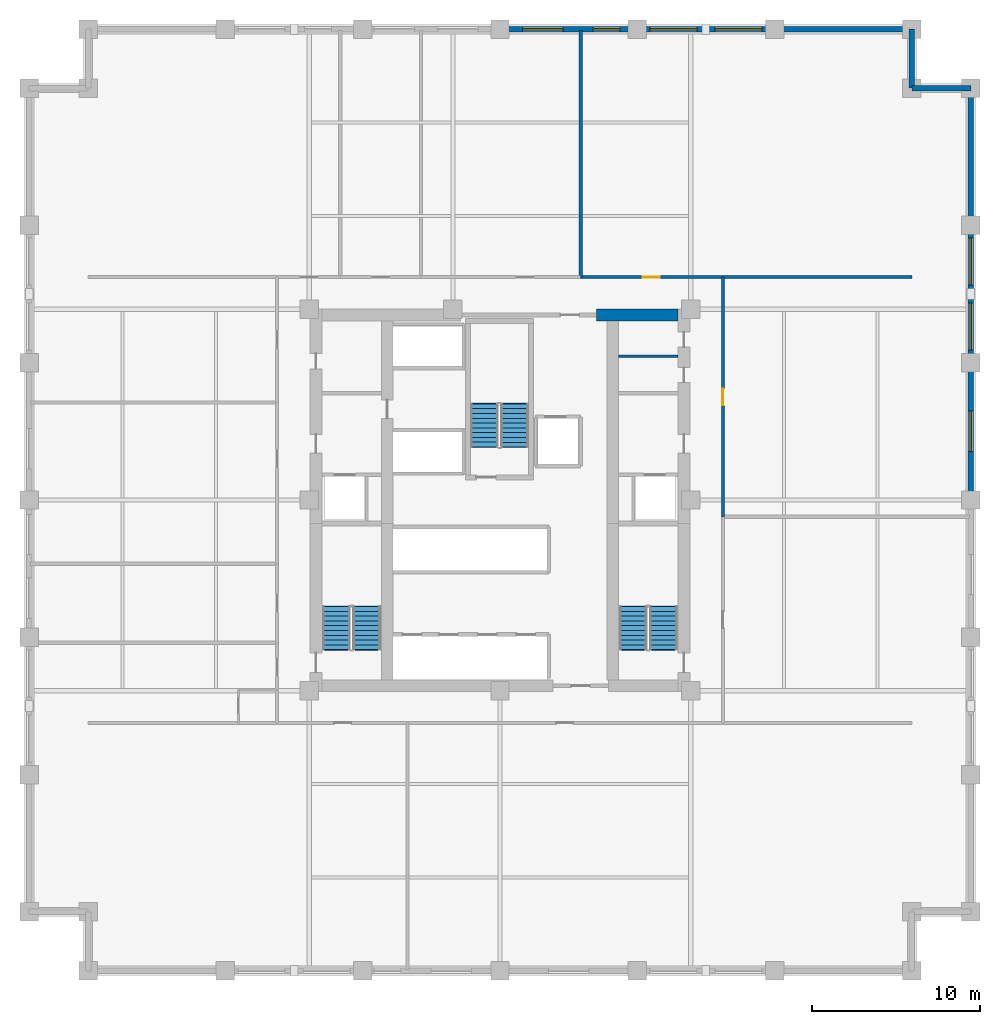
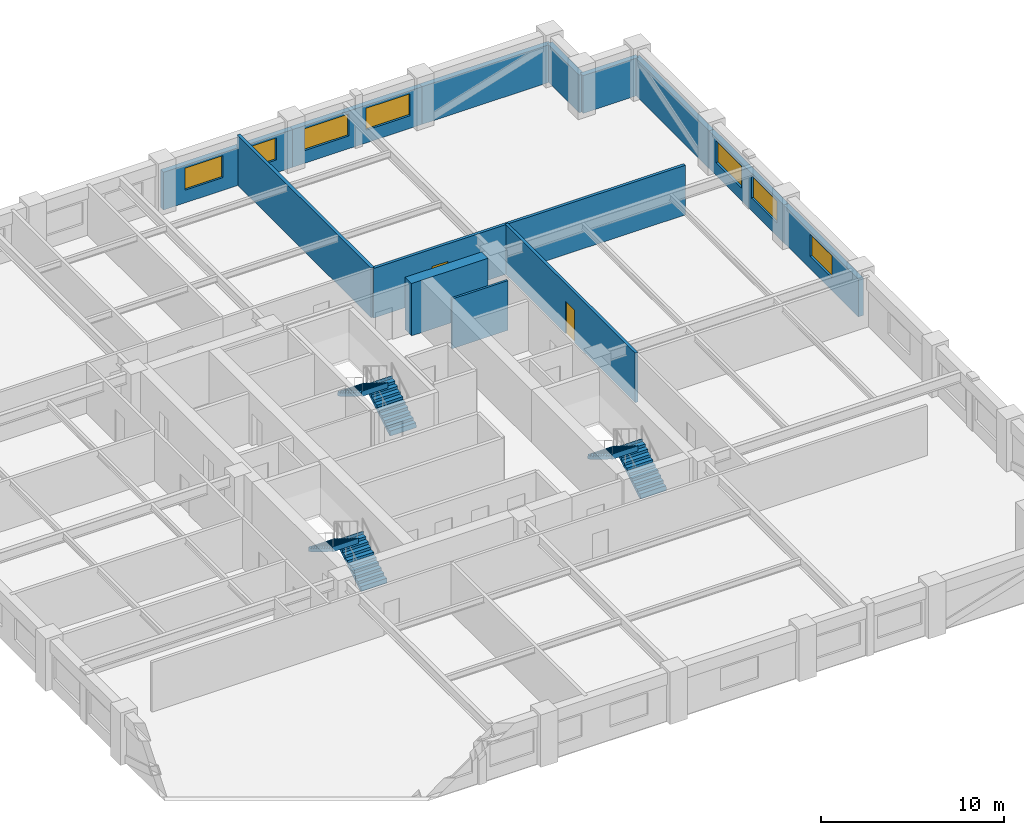
# One storey, part 5 of 6: 13 walls, 7 windows, 6 stair flights, 2 doors, 9 openings, 3 elements without a shape of their own.
"""IFC4 building model written with IfcOpenShell, lengths in metres."""

from ifc_helpers import new_model, si_unit, direction, frame, frame_2d, origin, place, context, subcontext, project, spatial, polyline, rectangle, outline, extrude, material, layer, layer_set, type_object, element, fill, aggregate, save


model = new_model("IFC4")

# Units and contexts
model_context = context("Model", 3, precision=1e-05, world=origin(), true_north=direction((0.0, 1.0)))
body_context = subcontext(model_context, "Body", "Model", "MODEL_VIEW")
ifc_project = project(units=[si_unit("LENGTHUNIT", "METRE"), si_unit("AREAUNIT", "SQUARE_METRE"), si_unit("VOLUMEUNIT", "CUBIC_METRE"), si_unit("PLANEANGLEUNIT", "RADIAN"), si_unit("MASSUNIT", "GRAM", prefix="KILO")], contexts=[model_context])

# Site, building, storey
site_placement = place(None, origin())
site = spatial("IfcSite", under=ifc_project, at=site_placement, CompositionType="ELEMENT")
building_placement = place(site_placement, origin())
building = spatial("IfcBuilding", under=site, at=building_placement, Name="Nhamokura Convention Tower", CompositionType="ELEMENT")
storey_placement = place(building_placement, frame((0.0, 0.0, 82.25)))
storey = spatial("IfcBuildingStorey", under=building, at=storey_placement, Name="L19", CompositionType="ELEMENT", Elevation=82.25)

# Wall
ifc_material_1 = material(Name="Moisture-resistant tile-backer partition", Category="masonry")
ifc_layer_1 = layer(ifc_material_1, 0.139892578125)
ifc_layer_set_1 = layer_set([ifc_layer_1], Name="BathroomWetWall_140")
wall_type_1 = type_object("IfcWallType", Name="BathroomWetWall_140", PredefinedType="STANDARD", material=ifc_layer_set_1)
wall_1_placement = place(storey_placement, frame((39.06005859375, 40.550048828125, 0.0), z_axis=(0.0, 0.0, 1.0), x_axis=(1.0, 0.0, 0.0)))
element("IfcWall", 1, at=wall_1_placement, inside=storey, type_object=wall_type_1, Name="L19 Wall INT-L19-CWNE", PredefinedType="STANDARD", context=body_context, shape_type="SweptSolid", body=[
    extrude(rectangle(XDim=3.530029296875, YDim=0.139892578125, at=frame_2d((1.76513671875, 0.0))), origin(), (0.0, 0.0, 1.0), 3.320068359375),
])

# Wall, openings, windows
ifc_material_2 = material(Name="Bronze-pigmented precast concrete C45/55", Category="concrete")
ifc_layer_2 = layer(ifc_material_2, 0.320068359375)
ifc_layer_set_2 = layer_set([ifc_layer_2], Name="BronzePrecastSpandrel_320")
wall_type_2 = type_object("IfcWallType", Name="BronzePrecastSpandrel_320", PredefinedType="USERDEFINED", material=ifc_layer_set_2)
wall_2_placement = place(storey_placement, frame((32.0, 60.0, 0.0), z_axis=(0.0, 0.0, 1.0), x_axis=(1.0, 0.0, 0.0)))
wall_2 = element("IfcWall", 2, at=wall_2_placement, inside=storey, type_object=wall_type_2, Name="L19 Masonry-Frame Wall NORTH 3", ObjectType="SPANDREL_WALL", PredefinedType="USERDEFINED", context=body_context, shape_type="SweptSolid", body=[
    extrude(rectangle(XDim=8.166748046875, YDim=0.320068359375, at=frame_2d((4.08349609375, 0.0))), origin(), (0.0, 0.0, 1.0), 2.52001953125),
])
opening_1_placement = place(wall_2_placement, frame((1.35009765625, 0.0, 0.85009765625)))
opening_1 = element("IfcOpeningElement", 3, at=opening_1_placement, cuts=wall_2, Name="Opening W-03", PredefinedType="OPENING", context=body_context, shape_type="SweptSolid", body=[
    extrude(rectangle(XDim=2.39990234375, YDim=1.469970703125, at=frame_2d((1.199951171875, 0.73486328125))), frame((0.0, 0.169921875, 0.0), z_axis=(0.0, -1.0, 0.0), x_axis=(1.0, 0.0, 0.0)), (0.0, 0.0, 1.0), 0.340087890625),
])
opening_2_placement = place(wall_2_placement, frame((5.533203125, 0.0, 0.85009765625)))
opening_2 = element("IfcOpeningElement", 4, at=opening_2_placement, cuts=wall_2, Name="Opening W-11", PredefinedType="OPENING", context=body_context, shape_type="SweptSolid", body=[
    extrude(rectangle(XDim=1.60009765625, YDim=1.469970703125, at=frame_2d((0.800048828125, 0.73486328125))), frame((0.0, 0.169921875, 0.0), z_axis=(0.0, -1.0, 0.0), x_axis=(1.0, 0.0, 0.0)), (0.0, 0.0, 1.0), 0.340087890625),
])
ifc_material_3 = material(Name="Solar-control bronze low-E double glass", Category="glass")
window_type_1 = type_object("IfcWindowType", Name="HotelBayWindow_2400", PartitioningType="DOUBLE_PANEL_VERTICAL", PredefinedType="WINDOW", material=ifc_material_3)
window_1_placement = place(opening_1_placement, origin())
window_1 = element("IfcWindow", 5, at=window_1_placement, inside=storey, type_object=window_type_1, Name="L19 Facade Window NORTH 3-1", OverallHeight=1.469970703125, OverallWidth=2.39990234375, PartitioningType="SINGLE_PANEL", PredefinedType="WINDOW", context=body_context, shape_type="SweptSolid", body=[
    extrude(rectangle(XDim=2.39990234375, YDim=1.469970703125, at=frame_2d((1.199951171875, 0.73486328125))), frame((0.0, 0.030029296875, 0.0), z_axis=(0.0, -1.0, 0.0), x_axis=(1.0, 0.0, 0.0)), (0.0, 0.0, 1.0), 0.06005859375),
])
fill(opening_1, window_1)
ifc_material_4 = material(Name="Solar-control bronze low-E double glass", Category="glass")
window_type_2 = type_object("IfcWindowType", Name="NotchCornerWindow_1600", PartitioningType="SINGLE_PANEL", PredefinedType="WINDOW", material=ifc_material_4)
window_2_placement = place(opening_2_placement, origin())
window_2 = element("IfcWindow", 6, at=window_2_placement, inside=storey, type_object=window_type_2, Name="L19 Facade Window NORTH 3-2", OverallHeight=1.469970703125, OverallWidth=1.60009765625, PartitioningType="SINGLE_PANEL", PredefinedType="WINDOW", context=body_context, shape_type="SweptSolid", body=[
    extrude(rectangle(XDim=1.60009765625, YDim=1.469970703125, at=frame_2d((0.800048828125, 0.73486328125))), frame((0.0, 0.030029296875, 0.0), z_axis=(0.0, -1.0, 0.0), x_axis=(1.0, 0.0, 0.0)), (0.0, 0.0, 1.0), 0.06005859375),
])
fill(opening_2, window_2)

wall_3_placement = place(storey_placement, frame((40.166748046875, 60.0, 0.0), z_axis=(0.0, 0.0, 1.0), x_axis=(1.0, 0.0, 0.0)))
wall_3 = element("IfcWall", 7, at=wall_3_placement, inside=storey, type_object=wall_type_2, Name="L19 Masonry-Frame Wall NORTH 4", ObjectType="SPANDREL_WALL", PredefinedType="USERDEFINED", context=body_context, shape_type="SweptSolid", body=[
    extrude(rectangle(XDim=8.16650390625, YDim=0.320068359375, at=frame_2d((4.083251953125, 0.0))), origin(), (0.0, 0.0, 1.0), 2.52001953125),
])
opening_3_placement = place(wall_3_placement, frame((0.74169921875, 0.0, 0.85009765625)))
opening_3 = element("IfcOpeningElement", 8, at=opening_3_placement, cuts=wall_3, Name="Opening W-04", PredefinedType="OPENING", context=body_context, shape_type="SweptSolid", body=[
    extrude(rectangle(XDim=2.800048828125, YDim=1.469970703125, at=frame_2d((1.39990234375, 0.73486328125))), frame((0.0, 0.169921875, 0.0), z_axis=(0.0, -1.0, 0.0), x_axis=(1.0, 0.0, 0.0)), (0.0, 0.0, 1.0), 0.340087890625),
])
opening_4_placement = place(wall_3_placement, frame((4.625, 0.0, 0.85009765625)))
opening_4 = element("IfcOpeningElement", 9, at=opening_4_placement, cuts=wall_3, Name="Opening W-04", PredefinedType="OPENING", context=body_context, shape_type="SweptSolid", body=[
    extrude(rectangle(XDim=2.800048828125, YDim=1.469970703125, at=frame_2d((1.39990234375, 0.73486328125))), frame((0.0, 0.169921875, 0.0), z_axis=(0.0, -1.0, 0.0), x_axis=(1.0, 0.0, 0.0)), (0.0, 0.0, 1.0), 0.340087890625),
])
ifc_material_5 = material(Name="Solar-control bronze low-E double glass", Category="glass")
window_type_3 = type_object("IfcWindowType", Name="HotelSuiteWindow_2800", PartitioningType="DOUBLE_PANEL_VERTICAL", PredefinedType="WINDOW", material=ifc_material_5)
window_3_placement = place(opening_3_placement, origin())
window_3 = element("IfcWindow", 10, at=window_3_placement, inside=storey, type_object=window_type_3, Name="L19 Facade Window NORTH 4-1", OverallHeight=1.469970703125, OverallWidth=2.800048828125, PartitioningType="SINGLE_PANEL", PredefinedType="WINDOW", context=body_context, shape_type="SweptSolid", body=[
    extrude(rectangle(XDim=2.800048828125, YDim=1.469970703125, at=frame_2d((1.39990234375, 0.73486328125))), frame((0.0, 0.030029296875, 0.0), z_axis=(0.0, -1.0, 0.0), x_axis=(1.0, 0.0, 0.0)), (0.0, 0.0, 1.0), 0.06005859375),
])
fill(opening_3, window_3)
window_4_placement = place(opening_4_placement, origin())
window_4 = element("IfcWindow", 11, at=window_4_placement, inside=storey, type_object=window_type_3, Name="L19 Facade Window NORTH 4-2", OverallHeight=1.469970703125, OverallWidth=2.800048828125, PartitioningType="SINGLE_PANEL", PredefinedType="WINDOW", context=body_context, shape_type="SweptSolid", body=[
    extrude(rectangle(XDim=2.800048828125, YDim=1.469970703125, at=frame_2d((1.39990234375, 0.73486328125))), frame((0.0, 0.030029296875, 0.0), z_axis=(0.0, -1.0, 0.0), x_axis=(1.0, 0.0, 0.0)), (0.0, 0.0, 1.0), 0.06005859375),
])
fill(opening_4, window_4)

# Wall
wall_4_placement = place(storey_placement, frame((48.333251953125, 60.0, 0.0), z_axis=(0.0, 0.0, 1.0), x_axis=(1.0, 0.0, 0.0)))
element("IfcWall", 12, at=wall_4_placement, inside=storey, type_object=wall_type_2, Name="L19 Braced-Bay Precast Wall NORTH 5", ObjectType="SPANDREL_WALL", PredefinedType="USERDEFINED", context=body_context, shape_type="SweptSolid", body=[
    extrude(rectangle(XDim=8.166748046875, YDim=0.320068359375, at=frame_2d((4.08349609375, 0.0))), origin(), (0.0, 0.0, 1.0), 2.52001953125),
])

# Wall, opening, window
wall_5_placement = place(storey_placement, frame((60.0, 40.166748046875, 0.0), z_axis=(0.0, 0.0, 1.0), x_axis=(0.0, -1.0, 0.0)))
wall_5 = element("IfcWall", 13, at=wall_5_placement, inside=storey, type_object=wall_type_2, Name="L19 Masonry-Frame Wall EAST 3", ObjectType="SPANDREL_WALL", PredefinedType="USERDEFINED", context=body_context, shape_type="SweptSolid", body=[
    extrude(rectangle(XDim=8.166748046875, YDim=0.320068359375, at=frame_2d((4.08349609375, 0.0))), origin(), (0.0, 0.0, 1.0), 2.52001953125),
])
opening_5_placement = place(wall_5_placement, frame((2.88330078125, 0.0, 0.85009765625)))
opening_5 = element("IfcOpeningElement", 14, at=opening_5_placement, cuts=wall_5, Name="Opening W-03", PredefinedType="OPENING", context=body_context, shape_type="SweptSolid", body=[
    extrude(rectangle(XDim=2.39990234375, YDim=1.469970703125, at=frame_2d((1.199951171875, 0.73486328125))), frame((0.0, 0.169921875, 0.0), z_axis=(0.0, -1.0, 0.0), x_axis=(1.0, 0.0, 0.0)), (0.0, 0.0, 1.0), 0.340087890625),
])
window_5_placement = place(opening_5_placement, origin())
window_5 = element("IfcWindow", 15, at=window_5_placement, inside=storey, type_object=window_type_1, Name="L19 Facade Window EAST 3", OverallHeight=1.469970703125, OverallWidth=2.39990234375, PartitioningType="SINGLE_PANEL", PredefinedType="WINDOW", context=body_context, shape_type="SweptSolid", body=[
    extrude(rectangle(XDim=2.39990234375, YDim=1.469970703125, at=frame_2d((1.199951171875, 0.73486328125))), frame((0.0, 0.030029296875, 0.0), z_axis=(0.0, -1.0, 0.0), x_axis=(1.0, 0.0, 0.0)), (0.0, 0.0, 1.0), 0.06005859375),
])
fill(opening_5, window_5)

# Wall, openings, windows
wall_6_placement = place(storey_placement, frame((60.0, 48.333251953125, 0.0), z_axis=(0.0, 0.0, 1.0), x_axis=(0.0, -1.0, 0.0)))
wall_6 = element("IfcWall", 16, at=wall_6_placement, inside=storey, type_object=wall_type_2, Name="L19 Masonry-Frame Wall EAST 4", ObjectType="SPANDREL_WALL", PredefinedType="USERDEFINED", context=body_context, shape_type="SweptSolid", body=[
    extrude(rectangle(XDim=8.16650390625, YDim=0.320068359375, at=frame_2d((4.083251953125, 0.0))), origin(), (0.0, 0.0, 1.0), 2.52001953125),
])
opening_6_placement = place(wall_6_placement, frame((0.74169921875, 0.0, 0.85009765625)))
opening_6 = element("IfcOpeningElement", 17, at=opening_6_placement, cuts=wall_6, Name="Opening W-04", PredefinedType="OPENING", context=body_context, shape_type="SweptSolid", body=[
    extrude(rectangle(XDim=2.800048828125, YDim=1.469970703125, at=frame_2d((1.39990234375, 0.73486328125))), frame((0.0, 0.169921875, 0.0), z_axis=(0.0, -1.0, 0.0), x_axis=(1.0, 0.0, 0.0)), (0.0, 0.0, 1.0), 0.340087890625),
])
opening_7_placement = place(wall_6_placement, frame((4.625, 0.0, 0.85009765625)))
opening_7 = element("IfcOpeningElement", 18, at=opening_7_placement, cuts=wall_6, Name="Opening W-04", PredefinedType="OPENING", context=body_context, shape_type="SweptSolid", body=[
    extrude(rectangle(XDim=2.800048828125, YDim=1.469970703125, at=frame_2d((1.39990234375, 0.73486328125))), frame((0.0, 0.169921875, 0.0), z_axis=(0.0, -1.0, 0.0), x_axis=(1.0, 0.0, 0.0)), (0.0, 0.0, 1.0), 0.340087890625),
])
window_6_placement = place(opening_6_placement, origin())
window_6 = element("IfcWindow", 19, at=window_6_placement, inside=storey, type_object=window_type_3, Name="L19 Facade Window EAST 4-1", OverallHeight=1.469970703125, OverallWidth=2.800048828125, PartitioningType="SINGLE_PANEL", PredefinedType="WINDOW", context=body_context, shape_type="SweptSolid", body=[
    extrude(rectangle(XDim=2.800048828125, YDim=1.469970703125, at=frame_2d((1.39990234375, 0.73486328125))), frame((0.0, 0.030029296875, 0.0), z_axis=(0.0, -1.0, 0.0), x_axis=(1.0, 0.0, 0.0)), (0.0, 0.0, 1.0), 0.06005859375),
])
fill(opening_6, window_6)
window_7_placement = place(opening_7_placement, origin())
window_7 = element("IfcWindow", 20, at=window_7_placement, inside=storey, type_object=window_type_3, Name="L19 Facade Window EAST 4-2", OverallHeight=1.469970703125, OverallWidth=2.800048828125, PartitioningType="SINGLE_PANEL", PredefinedType="WINDOW", context=body_context, shape_type="SweptSolid", body=[
    extrude(rectangle(XDim=2.800048828125, YDim=1.469970703125, at=frame_2d((1.39990234375, 0.73486328125))), frame((0.0, 0.030029296875, 0.0), z_axis=(0.0, -1.0, 0.0), x_axis=(1.0, 0.0, 0.0)), (0.0, 0.0, 1.0), 0.06005859375),
])
fill(opening_7, window_7)

# Walls
wall_7_placement = place(storey_placement, frame((60.0, 56.5, 0.0), z_axis=(0.0, 0.0, 1.0), x_axis=(0.0, -1.0, 0.0)))
element("IfcWall", 21, at=wall_7_placement, inside=storey, type_object=wall_type_2, Name="L19 Braced-Bay Precast Wall EAST 5", ObjectType="SPANDREL_WALL", PredefinedType="USERDEFINED", context=body_context, shape_type="SweptSolid", body=[
    extrude(rectangle(XDim=8.166748046875, YDim=0.320068359375, at=frame_2d((4.08349609375, 0.0))), origin(), (0.0, 0.0, 1.0), 2.52001953125),
])
for number, where, z_axis, x_axis, name in (
    (22, (56.5, 56.5, 0.0), (0.0, 0.0, 1.0), (1.0, 0.0, 0.0), "L19 Notched Corner Wall NE1"),
    (23, (56.5, 60.0, 0.0), (0.0, 0.0, 1.0), (0.0, -1.0, 0.0), "L19 Notched Corner Wall NE2"),
):
    element("IfcWall", number, at=place(storey_placement, frame(where, z_axis=z_axis, x_axis=x_axis)), inside=storey, type_object=wall_type_2, Name=name, ObjectType="SPANDREL_WALL", PredefinedType="USERDEFINED", context=body_context, shape_type="SweptSolid", body=[
        extrude(rectangle(XDim=3.5, YDim=0.320068359375, at=frame_2d((1.75, 0.0))), origin(), (0.0, 0.0, 1.0), 2.52001953125),
    ])
ifc_material_6 = material(Name="Concrete C70/85", Category="concrete")
ifc_layer_3 = layer(ifc_material_6, 0.699951171875)
ifc_layer_set_3 = layer_set([ifc_layer_3], Name="CoreShearWall_700")
wall_type_3 = type_object("IfcWallType", Name="CoreShearWall_700", PredefinedType="SHEAR", material=ifc_layer_set_3)
wall_8_placement = place(storey_placement, frame((37.75, 43.0, 0.0), z_axis=(0.0, 0.0, 1.0), x_axis=(1.0, 0.0, 0.0)))
element("IfcWall", 24, at=wall_8_placement, inside=storey, type_object=wall_type_3, Name="L19 Core Shear Wall CW-N2", PredefinedType="SHEAR", context=body_context, shape_type="SweptSolid", body=[
    extrude(rectangle(XDim=4.840087890625, YDim=0.699951171875, at=frame_2d((2.419921875, 0.0))), origin(), (0.0, 0.0, 1.0), 3.5),
])

# Wall, opening, door
ifc_material_7 = material(Name="Fire-rated gypsum and masonry partition", Category="masonry")
ifc_layer_4 = layer(ifc_material_7, 0.179931640625)
ifc_layer_set_4 = layer_set([ifc_layer_4], Name="CorridorRatedWall_180")
wall_type_4 = type_object("IfcWallType", Name="CorridorRatedWall_180", PredefinedType="STANDARD", material=ifc_layer_set_4)
wall_9_placement = place(storey_placement, frame((36.800048828125, 45.25, 0.0), z_axis=(0.0, 0.0, 1.0), x_axis=(1.0, 0.0, 0.0)))
wall_9 = element("IfcWall", 25, at=wall_9_placement, inside=storey, type_object=wall_type_4, Name="L19 Wall INT-L19-CW-N03", PredefinedType="STANDARD", context=body_context, shape_type="SweptSolid", body=[
    extrude(rectangle(XDim=19.699951171875, YDim=0.179931640625, at=frame_2d((9.85009765625, 0.0))), origin(), (0.0, 0.0, 1.0), 3.320068359375),
])
opening_8_placement = place(wall_9_placement, frame((3.699951171875, 0.0, 0.0)))
opening_8 = element("IfcOpeningElement", 26, at=opening_8_placement, cuts=wall_9, Name="Opening D-07", PredefinedType="OPENING", context=body_context, shape_type="SweptSolid", body=[
    extrude(rectangle(XDim=1.0, YDim=2.14990234375, at=frame_2d((0.5, 1.074951171875))), frame((0.0, 0.099853515625, 0.0), z_axis=(0.0, -1.0, 0.0), x_axis=(1.0, 0.0, 0.0)), (0.0, 0.0, 1.0), 0.199951171875),
])
ifc_material_8 = material(Name="Solid oak hardwood", Category="wood")
door_type = type_object("IfcDoorType", Name="HotelSuiteEntryDoor_1000", OperationType="NOTDEFINED", PredefinedType="DOOR", material=ifc_material_8)
door_1_placement = place(opening_8_placement, origin())
door_1 = element("IfcDoor", 27, at=door_1_placement, inside=storey, type_object=door_type, Name="L19 Conference Salon N04 Door", OperationType="SINGLE_SWING_RIGHT", OverallHeight=2.14990234375, OverallWidth=1.0, PredefinedType="DOOR", context=body_context, shape_type="SweptSolid", body=[
    extrude(rectangle(XDim=1.0, YDim=2.14990234375, at=frame_2d((0.5, 1.074951171875))), frame((0.0, 0.02490234375, 0.0), z_axis=(0.0, -1.0, 0.0), x_axis=(1.0, 0.0, 0.0)), (0.0, 0.0, 1.0), 0.050048828125),
])
fill(opening_8, door_1)

wall_10_placement = place(storey_placement, frame((45.25, 31.0, 0.0), z_axis=(0.0, 0.0, 1.0), x_axis=(0.0, 1.0, 0.0)))
wall_10 = element("IfcWall", 28, at=wall_10_placement, inside=storey, type_object=wall_type_4, Name="L19 Wall INT-L19-CW-E01", PredefinedType="STANDARD", context=body_context, shape_type="SweptSolid", body=[
    extrude(rectangle(XDim=14.25, YDim=0.179931640625, at=frame_2d((7.125, 0.0))), origin(), (0.0, 0.0, 1.0), 3.320068359375),
])
opening_9_placement = place(wall_10_placement, frame((6.625, 0.0, 0.0)))
opening_9 = element("IfcOpeningElement", 29, at=opening_9_placement, cuts=wall_10, Name="Opening D-07", PredefinedType="OPENING", context=body_context, shape_type="SweptSolid", body=[
    extrude(rectangle(XDim=1.0, YDim=2.14990234375, at=frame_2d((0.5, 1.074951171875))), frame((0.0, 0.099853515625, 0.0), z_axis=(0.0, -1.0, 0.0), x_axis=(1.0, 0.0, 0.0)), (0.0, 0.0, 1.0), 0.199951171875),
])
door_2_placement = place(opening_9_placement, origin())
door_2 = element("IfcDoor", 30, at=door_2_placement, inside=storey, type_object=door_type, Name="L19 Housekeeping Store E02 Door", OperationType="SINGLE_SWING_RIGHT", OverallHeight=2.14990234375, OverallWidth=1.0, PredefinedType="DOOR", context=body_context, shape_type="SweptSolid", body=[
    extrude(rectangle(XDim=1.0, YDim=2.14990234375, at=frame_2d((0.5, 1.074951171875))), frame((0.0, 0.02490234375, 0.0), z_axis=(0.0, -1.0, 0.0), x_axis=(1.0, 0.0, 0.0)), (0.0, 0.0, 1.0), 0.050048828125),
])
fill(opening_9, door_2)

# Wall
ifc_material_9 = material(Name="Acoustic twin-stud gypsum partition", Category="masonry")
ifc_layer_5 = layer(ifc_material_9, 0.199951171875)
ifc_layer_set_5 = layer_set([ifc_layer_5], Name="HotelDemisingWall_200")
wall_type_5 = type_object("IfcWallType", Name="HotelDemisingWall_200", PredefinedType="STANDARD", material=ifc_layer_set_5)
wall_11_placement = place(storey_placement, frame((36.800048828125, 45.25, 0.0), z_axis=(0.0, 0.0, 1.0), x_axis=(0.0, 1.0, 0.0)))
element("IfcWall", 31, at=wall_11_placement, inside=storey, type_object=wall_type_5, Name="L19 Wall INT-L19-RW-N03", PredefinedType="STANDARD", context=body_context, shape_type="SweptSolid", body=[
    extrude(rectangle(XDim=14.68994140625, YDim=0.199951171875, at=frame_2d((7.344970703125, 0.0))), origin(), (0.0, 0.0, 1.0), 3.320068359375),
])

# Stair, stair flights
ifc_material_10 = material(Name="Concrete C40/50", Category="concrete")
stair_type = type_object("IfcStairType", Name="TowerCoreStair_1650", PredefinedType="HALF_TURN_STAIR", material=ifc_material_10)
stair_1_placement = place(storey_placement, origin())
stair_1 = element("IfcStair", 32, at=stair_1_placement, inside=storey, type_object=stair_type, Name="L19 West Core Smokeproof Stair ST-01", PredefinedType="HALF_TURN_STAIR")
ifc_material_11 = material(Name="Concrete C40/50", Category="concrete")
stair_flight_type = type_object("IfcStairFlightType", Name="TowerCoreStair_1650_Flight", PredefinedType="STRAIGHT", material=ifc_material_11)
stair_flight_1_placement = place(storey_placement, frame((24.074951171875, 23.10009765625, 0.0), z_axis=(0.0, 0.0, 1.0), x_axis=(0.0, 1.0, 0.0)))
stair_flight_1 = element("IfcStairFlight", 33, at=stair_flight_1_placement, type_object=stair_flight_type, Name="ST-01 flight 1", NumberOfRisers=10, NumberOfTreads=9, PredefinedType="STRAIGHT", RiserHeight=0.175, TreadLength=0.285, context=body_context, shape_type="SweptSolid", body=[
    extrude(outline(polyline([(-0.0419921875, 0.0), (0.0, 0.175048828125), (0.284912109375, 0.175048828125), (0.284912109375, 0.35009765625), (0.570068359375, 0.35009765625), (0.570068359375, 0.52490234375), (0.85498046875, 0.52490234375), (0.85498046875, 0.699951171875), (1.139892578125, 0.699951171875), (1.139892578125, 0.875), (1.425048828125, 0.875), (1.425048828125, 1.050048828125), (1.7099609375, 1.050048828125), (1.7099609375, 1.22509765625), (1.9951171875, 1.22509765625), (1.9951171875, 1.39990234375), (2.280029296875, 1.39990234375), (2.280029296875, 1.574951171875), (2.56494140625, 1.574951171875), (2.56494140625, 1.75), (2.60693359375, 1.75), (2.60693359375, 1.399169921875), (2.56494140625, 1.399169921875), (0.286376953125, 0.0), (0.02001953125, -0.1298828125), (-0.0419921875, -0.1298828125), (-0.0419921875, 0.0)])), frame((0.0, 0.824951171875, 0.0), z_axis=(0.0, -1.0, 0.0), x_axis=(1.0, 0.0, 0.0)), (0.0, 0.0, 1.0), 1.64990234375),
])
stair_flight_2_placement = place(storey_placement, frame((22.27490234375, 25.6650390625, 1.75), z_axis=(0.0, 0.0, 1.0), x_axis=(0.0, -1.0, 0.0)))
stair_flight_2 = element("IfcStairFlight", 34, at=stair_flight_2_placement, type_object=stair_flight_type, Name="ST-01 flight 2", NumberOfRisers=10, NumberOfTreads=9, PredefinedType="STRAIGHT", RiserHeight=0.175, TreadLength=0.285, context=body_context, shape_type="SweptSolid", body=[
    extrude(outline(polyline([(-0.0419921875, 0.0), (0.0, 0.175048828125), (0.284912109375, 0.175048828125), (0.284912109375, 0.35009765625), (0.570068359375, 0.35009765625), (0.570068359375, 0.52490234375), (0.85498046875, 0.52490234375), (0.85498046875, 0.699951171875), (1.139892578125, 0.699951171875), (1.139892578125, 0.875), (1.425048828125, 0.875), (1.425048828125, 1.050048828125), (1.7099609375, 1.050048828125), (1.7099609375, 1.22509765625), (1.9951171875, 1.22509765625), (1.9951171875, 1.39990234375), (2.280029296875, 1.39990234375), (2.280029296875, 1.574951171875), (2.56494140625, 1.574951171875), (2.56494140625, 1.75), (2.60693359375, 1.75), (2.60693359375, 1.399169921875), (2.56494140625, 1.399169921875), (0.286376953125, 0.0), (0.02001953125, -0.1298828125), (-0.0419921875, -0.1298828125), (-0.0419921875, 0.0)])), frame((0.0, 0.824951171875, 0.0), z_axis=(0.0, -1.0, 0.0), x_axis=(1.0, 0.0, 0.0)), (0.0, 0.0, 1.0), 1.64990234375),
])
aggregate(stair_1, [stair_flight_1, stair_flight_2])

stair_2_placement = place(storey_placement, origin())
stair_2 = element("IfcStair", 35, at=stair_2_placement, inside=storey, type_object=stair_type, Name="L19 East Core Smokeproof Stair ST-02", PredefinedType="HALF_TURN_STAIR")
stair_flight_3_placement = place(storey_placement, frame((41.72509765625, 23.10009765625, 0.0), z_axis=(0.0, 0.0, 1.0), x_axis=(0.0, 1.0, 0.0)))
stair_flight_3 = element("IfcStairFlight", 36, at=stair_flight_3_placement, type_object=stair_flight_type, Name="ST-02 flight 1", NumberOfRisers=10, NumberOfTreads=9, PredefinedType="STRAIGHT", RiserHeight=0.175, TreadLength=0.285, context=body_context, shape_type="SweptSolid", body=[
    extrude(outline(polyline([(-0.0419921875, 0.0), (0.0, 0.175048828125), (0.284912109375, 0.175048828125), (0.284912109375, 0.35009765625), (0.570068359375, 0.35009765625), (0.570068359375, 0.52490234375), (0.85498046875, 0.52490234375), (0.85498046875, 0.699951171875), (1.139892578125, 0.699951171875), (1.139892578125, 0.875), (1.425048828125, 0.875), (1.425048828125, 1.050048828125), (1.7099609375, 1.050048828125), (1.7099609375, 1.22509765625), (1.9951171875, 1.22509765625), (1.9951171875, 1.39990234375), (2.280029296875, 1.39990234375), (2.280029296875, 1.574951171875), (2.56494140625, 1.574951171875), (2.56494140625, 1.75), (2.60693359375, 1.75), (2.60693359375, 1.399169921875), (2.56494140625, 1.399169921875), (0.286376953125, 0.0), (0.02001953125, -0.1298828125), (-0.0419921875, -0.1298828125), (-0.0419921875, 0.0)])), frame((0.0, 0.824951171875, 0.0), z_axis=(0.0, -1.0, 0.0), x_axis=(1.0, 0.0, 0.0)), (0.0, 0.0, 1.0), 1.64990234375),
])
stair_flight_4_placement = place(storey_placement, frame((39.925048828125, 25.6650390625, 1.75), z_axis=(0.0, 0.0, 1.0), x_axis=(0.0, -1.0, 0.0)))
stair_flight_4 = element("IfcStairFlight", 37, at=stair_flight_4_placement, type_object=stair_flight_type, Name="ST-02 flight 2", NumberOfRisers=10, NumberOfTreads=9, PredefinedType="STRAIGHT", RiserHeight=0.175, TreadLength=0.285, context=body_context, shape_type="SweptSolid", body=[
    extrude(outline(polyline([(-0.0419921875, 0.0), (0.0, 0.175048828125), (0.284912109375, 0.175048828125), (0.284912109375, 0.35009765625), (0.570068359375, 0.35009765625), (0.570068359375, 0.52490234375), (0.85498046875, 0.52490234375), (0.85498046875, 0.699951171875), (1.139892578125, 0.699951171875), (1.139892578125, 0.875), (1.425048828125, 0.875), (1.425048828125, 1.050048828125), (1.7099609375, 1.050048828125), (1.7099609375, 1.22509765625), (1.9951171875, 1.22509765625), (1.9951171875, 1.39990234375), (2.280029296875, 1.39990234375), (2.280029296875, 1.574951171875), (2.56494140625, 1.574951171875), (2.56494140625, 1.75), (2.60693359375, 1.75), (2.60693359375, 1.399169921875), (2.56494140625, 1.399169921875), (0.286376953125, 0.0), (0.02001953125, -0.1298828125), (-0.0419921875, -0.1298828125), (-0.0419921875, 0.0)])), frame((0.0, 0.824951171875, 0.0), z_axis=(0.0, -1.0, 0.0), x_axis=(1.0, 0.0, 0.0)), (0.0, 0.0, 1.0), 1.64990234375),
])
aggregate(stair_2, [stair_flight_3, stair_flight_4])

stair_3_placement = place(storey_placement, origin())
stair_3 = element("IfcStair", 38, at=stair_3_placement, inside=storey, type_object=stair_type, Name="L19 North Core Smokeproof Stair ST-03", PredefinedType="HALF_TURN_STAIR")
stair_flight_5_placement = place(storey_placement, frame((32.875, 35.14990234375, 0.0), z_axis=(0.0, 0.0, 1.0), x_axis=(0.0, 1.0, 0.0)))
stair_flight_5 = element("IfcStairFlight", 39, at=stair_flight_5_placement, type_object=stair_flight_type, Name="ST-03 flight 1", NumberOfRisers=10, NumberOfTreads=9, PredefinedType="STRAIGHT", RiserHeight=0.175, TreadLength=0.285, context=body_context, shape_type="SweptSolid", body=[
    extrude(outline(polyline([(-0.0419921875, 0.0), (0.0, 0.175048828125), (0.284912109375, 0.175048828125), (0.284912109375, 0.35009765625), (0.570068359375, 0.35009765625), (0.570068359375, 0.52490234375), (0.85498046875, 0.52490234375), (0.85498046875, 0.699951171875), (1.139892578125, 0.699951171875), (1.139892578125, 0.875), (1.425048828125, 0.875), (1.425048828125, 1.050048828125), (1.7099609375, 1.050048828125), (1.7099609375, 1.22509765625), (1.9951171875, 1.22509765625), (1.9951171875, 1.39990234375), (2.280029296875, 1.39990234375), (2.280029296875, 1.574951171875), (2.56494140625, 1.574951171875), (2.56494140625, 1.75), (2.60693359375, 1.75), (2.60693359375, 1.399169921875), (2.56494140625, 1.399169921875), (0.286376953125, 0.0), (0.02001953125, -0.1298828125), (-0.0419921875, -0.1298828125), (-0.0419921875, 0.0)])), frame((0.0, 0.824951171875, 0.0), z_axis=(0.0, -1.0, 0.0), x_axis=(1.0, 0.0, 0.0)), (0.0, 0.0, 1.0), 1.64990234375),
])
stair_flight_6_placement = place(storey_placement, frame((31.074951171875, 37.715087890625, 1.75), z_axis=(0.0, 0.0, 1.0), x_axis=(0.0, -1.0, 0.0)))
stair_flight_6 = element("IfcStairFlight", 40, at=stair_flight_6_placement, type_object=stair_flight_type, Name="ST-03 flight 2", NumberOfRisers=10, NumberOfTreads=9, PredefinedType="STRAIGHT", RiserHeight=0.175, TreadLength=0.285, context=body_context, shape_type="SweptSolid", body=[
    extrude(outline(polyline([(-0.0419921875, 0.0), (0.0, 0.175048828125), (0.284912109375, 0.175048828125), (0.284912109375, 0.35009765625), (0.570068359375, 0.35009765625), (0.570068359375, 0.52490234375), (0.85498046875, 0.52490234375), (0.85498046875, 0.699951171875), (1.139892578125, 0.699951171875), (1.139892578125, 0.875), (1.425048828125, 0.875), (1.425048828125, 1.050048828125), (1.7099609375, 1.050048828125), (1.7099609375, 1.22509765625), (1.9951171875, 1.22509765625), (1.9951171875, 1.39990234375), (2.280029296875, 1.39990234375), (2.280029296875, 1.574951171875), (2.56494140625, 1.574951171875), (2.56494140625, 1.75), (2.60693359375, 1.75), (2.60693359375, 1.399169921875), (2.56494140625, 1.399169921875), (0.286376953125, 0.0), (0.02001953125, -0.1298828125), (-0.0419921875, -0.1298828125), (-0.0419921875, 0.0)])), frame((0.0, 0.824951171875, 0.0), z_axis=(0.0, -1.0, 0.0), x_axis=(1.0, 0.0, 0.0)), (0.0, 0.0, 1.0), 1.64990234375),
])
aggregate(stair_3, [stair_flight_5, stair_flight_6])

save(model, "model.ifc")
